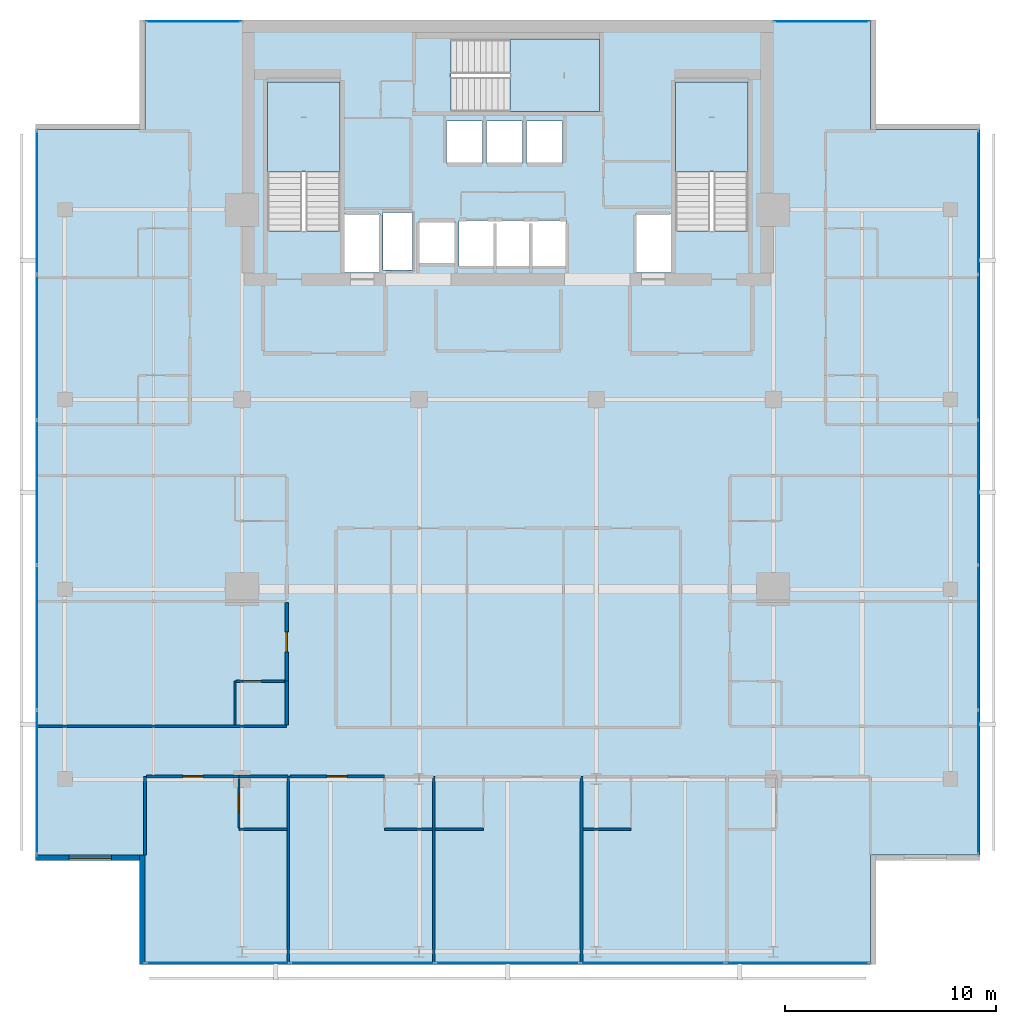
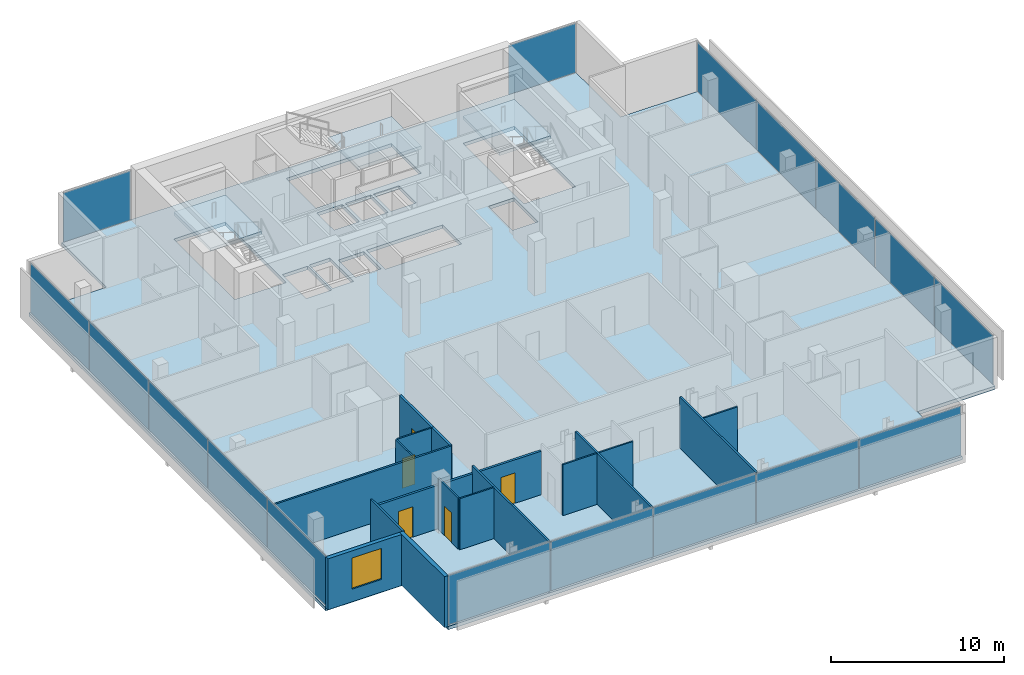
# One storey, part 19 of 25: 19 walls, 17 plates, 5 doors, 4 slabs, 1 window, 6 openings, 8 elements without a shape of their own.
"""IFC4 building model written with IfcOpenShell, lengths in metres."""

import ifcopenshell
import ifcopenshell.guid

model = None  # the IFC model being written
_history = None  # IfcOwnerHistory: only IFC2X3 demands one
_inside = {}  # id of a spatial element -> (the spatial element, [elements in it])
_under = {}  # id of a project, library or spatial element -> (it, [spatial elements below it])
_declared = {}  # id of a project -> (the project, [libraries it declares])
_typed = {}  # id of a type object -> (the type object, [elements of that type])
_made_of = {}  # id of a material, layer set ... -> (it, [elements and type objects made of it])


def new_model(schema):
    """Start an empty IFC model of exactly this schema.

    Asked for "IFC4X3", IfcOpenShell would pick the latest addendum, in which some entities
    have other attributes; the version numbers below select the first issue.
    IFC2X3 requires an IfcOwnerHistory on every rooted entity: one is made here for all.
    """
    global model, _history
    if schema == "IFC4X3":
        model = ifcopenshell.file(schema_version=(4, 3, 0, 0))
    else:
        model = ifcopenshell.file(schema=schema)
    _inside.clear()
    _under.clear()
    _declared.clear()
    _typed.clear()
    _made_of.clear()
    _history = None
    if model.schema == "IFC2X3":
        org = make("IfcOrganization", Name="unknown")
        user = make(
            "IfcPersonAndOrganization",
            ThePerson=make("IfcPerson", FamilyName="unknown"),
            TheOrganization=org,
        )
        app = make(
            "IfcApplication",
            ApplicationDeveloper=org,
            Version="unknown",
            ApplicationFullName="unknown",
            ApplicationIdentifier="unknown",
        )
        _history = make(
            "IfcOwnerHistory",
            OwningUser=user,
            OwningApplication=app,
            ChangeAction="ADDED",
            CreationDate=0,
        )
    return model


def make(cls, **values):
    """One entity of the class cls with the attributes given. An attribute that is None is left unset."""
    return model.create_entity(
        cls, **{name: value for name, value in values.items() if value is not None}
    )


def rooted(cls, **values):
    """An entity with a GlobalId (a new one), such as an element, a storey or a relation."""
    return make(cls, GlobalId=ifcopenshell.guid.new(), OwnerHistory=_history, **values)


def si_unit(unit_type, name, prefix=None):
    """IfcSIUnit, for example si_unit("LENGTHUNIT", "METRE", prefix="MILLI")."""
    return make("IfcSIUnit", UnitType=unit_type, Prefix=prefix, Name=name)


def assignment(units):
    """IfcUnitAssignment: the units of a project."""
    return None if units is None else make("IfcUnitAssignment", Units=units)


def point(xyz):
    """IfcCartesianPoint."""
    return None if xyz is None else make("IfcCartesianPoint", Coordinates=xyz)


def direction(xyz):
    """IfcDirection."""
    return None if xyz is None else make("IfcDirection", DirectionRatios=xyz)


def frame(location, z_axis=None, x_axis=None):
    """IfcAxis2Placement3D, a coordinate frame: its origin and axes. An axis left out is left unset."""
    return make(
        "IfcAxis2Placement3D",
        Location=point(location),
        Axis=direction(z_axis),
        RefDirection=direction(x_axis),
    )


def frame_2d(location, x_axis=None):
    """IfcAxis2Placement2D, a coordinate frame in the plane: its origin and x axis."""
    return make(
        "IfcAxis2Placement2D", Location=point(location), RefDirection=direction(x_axis)
    )


def origin():
    """The frame at (0, 0, 0) with its axes left unset."""
    return frame((0.0, 0.0, 0.0))


def origin_2d():
    """The frame at (0, 0) in the plane with its x axis left unset."""
    return frame_2d((0.0, 0.0))


def place(relative_to, where):
    """IfcLocalPlacement: puts the frame where relative to a parent placement (None: the world)."""
    return make(
        "IfcLocalPlacement", PlacementRelTo=relative_to, RelativePlacement=where
    )


def context(
    kind, dimensions, precision=None, world=None, true_north=None, identifier=None
):
    """IfcGeometricRepresentationContext, for example the 3D "Model" context."""
    return make(
        "IfcGeometricRepresentationContext",
        ContextIdentifier=identifier,
        ContextType=kind,
        CoordinateSpaceDimension=dimensions,
        Precision=precision,
        WorldCoordinateSystem=world,
        TrueNorth=true_north,
    )


def subcontext(parent, identifier, kind, view, scale=None):
    """IfcGeometricRepresentationSubContext, for example "Body" below "Model"."""
    return make(
        "IfcGeometricRepresentationSubContext",
        ContextIdentifier=identifier,
        ContextType=kind,
        ParentContext=parent,
        TargetScale=scale,
        TargetView=view,
    )


def project(units=None, contexts=None):
    """IfcProject with its units and contexts."""
    return rooted(
        "IfcProject",
        Name="project",
        RepresentationContexts=contexts,
        UnitsInContext=assignment(units),
    )


def spatial(cls, under=None, at=None, **own):
    """A site, building, storey or space (cls), placed at a placement, below another one or the project."""
    s = rooted(cls, ObjectPlacement=at, **own)
    if under is not None:
        _under.setdefault(under.id(), (under, []))[1].append(s)
    return s


def polyline(points):
    """IfcPolyline through the points."""
    return make("IfcPolyline", Points=[point(p) for p in points])


def profile(cls, at=None, kind="AREA", **sizes):
    """A parametric profile (cls). Its sizes go by their IFC names, for example OverallWidth=200.0."""
    return make(cls, ProfileType=kind, Position=at, **sizes)


def rectangle(**sizes):
    """IfcRectangleProfileDef."""
    return profile("IfcRectangleProfileDef", **sizes)


def outline(outer, holes=None, kind="AREA"):
    """IfcArbitraryClosedProfileDef: a profile drawn as a closed curve; with holes, ...WithVoids."""
    if holes is None:
        return make("IfcArbitraryClosedProfileDef", ProfileType=kind, OuterCurve=outer)
    return make(
        "IfcArbitraryProfileDefWithVoids",
        ProfileType=kind,
        OuterCurve=outer,
        InnerCurves=holes,
    )


def extrude(swept, where, along, depth):
    """IfcExtrudedAreaSolid: the profile swept, set in the frame where, extruded along a direction by depth."""
    return make(
        "IfcExtrudedAreaSolid",
        SweptArea=swept,
        Position=where,
        ExtrudedDirection=direction(along),
        Depth=depth,
    )


def shape(context_of_items, identifier, shape_type, items):
    """IfcShapeRepresentation: the items that make up one representation, for example the "Body"."""
    return make(
        "IfcShapeRepresentation",
        ContextOfItems=context_of_items,
        RepresentationIdentifier=identifier,
        RepresentationType=shape_type,
        Items=items,
    )


def material(Name=None, Category=None):
    """IfcMaterial."""
    return make("IfcMaterial", Name=Name, Category=Category)


def layer(
    of_material, thickness, ventilated=None, Name=None, Category=None, Priority=None
):
    """IfcMaterialLayer: one layer of a wall or slab, of a material (None: an air gap)."""
    return make(
        "IfcMaterialLayer",
        Material=of_material,
        LayerThickness=thickness,
        IsVentilated=ventilated,
        Name=Name,
        Category=Category,
        Priority=Priority,
    )


def layer_set(layers, Name=None):
    """IfcMaterialLayerSet."""
    return make("IfcMaterialLayerSet", MaterialLayers=layers, LayerSetName=Name)


def made_of(thing, what):
    """Note that an element or type object is made of a material, layer set ...; save() writes the relation."""
    if what is not None:
        _made_of.setdefault(what.id(), (what, []))[1].append(thing)
    return thing


def type_object(cls, material=None, **own):
    """A type object (cls), such as IfcWallType, which elements share."""
    return made_of(rooted(cls, **own), material)


def element(
    cls,
    number,
    at=None,
    inside=None,
    cuts=None,
    type_object=None,
    material=None,
    context=None,
    identifier="Body",
    shape_type=None,
    held_by="IfcProductDefinitionShape",
    body=None,
    shapes=None,
    **own,
):
    """One element of the class cls, such as IfcWall. Its Tag is "e" and its number.

    at: its placement. inside: the storey or other place that contains it. cuts: it is an
    opening in that element (IfcRelVoidsElement). A single representation is given by context,
    identifier, shape_type and body (its items); several are given by shapes. held_by: the class
    of the entity that holds the representations. save() writes the other relations.
    """
    e = rooted(cls, Tag="e%d" % number, ObjectPlacement=at, **own)
    if body is not None:
        shapes = [shape(context, identifier, shape_type, body)]
    if shapes is not None:
        e.Representation = make(held_by, Representations=shapes)
    if inside is not None:
        _inside.setdefault(inside.id(), (inside, []))[1].append(e)
    if cuts is not None:
        rooted(
            "IfcRelVoidsElement", RelatingBuildingElement=cuts, RelatedOpeningElement=e
        )
    if type_object is not None:
        _typed.setdefault(type_object.id(), (type_object, []))[1].append(e)
    return made_of(e, material)


def fill(opening, filler):
    """IfcRelFillsElement: the door or window that sits in an opening."""
    return rooted(
        "IfcRelFillsElement",
        RelatingOpeningElement=opening,
        RelatedBuildingElement=filler,
    )


def aggregate(whole, parts):
    """IfcRelAggregates: a whole, such as a stair, and the parts it consists of."""
    return rooted("IfcRelAggregates", RelatingObject=whole, RelatedObjects=parts)


def save(model, path):
    """Write the relations noted so far, then the file.

    IfcRelAggregates (storeys below a building ...), IfcRelContainedInSpatialStructure (elements
    in a storey), IfcRelDefinesByType, IfcRelAssociatesMaterial and IfcRelDeclares: one each for
    every whole, place, type object, material and project.
    """
    for whole, parts in _under.values():
        aggregate(whole, parts)
    for where, things in _inside.values():
        rooted(
            "IfcRelContainedInSpatialStructure",
            RelatedElements=things,
            RelatingStructure=where,
        )
    for kind, things in _typed.values():
        rooted("IfcRelDefinesByType", RelatedObjects=things, RelatingType=kind)
    for what, things in _made_of.values():
        rooted("IfcRelAssociatesMaterial", RelatedObjects=things, RelatingMaterial=what)
    for by, libraries in _declared.values():
        rooted("IfcRelDeclares", RelatingContext=by, RelatedDefinitions=libraries)
    model.write(path)


model = new_model("IFC4")

# Units and contexts
model_context = context("Model", 3, precision=1e-05, world=origin(), true_north=direction((0.0, 1.0)))
body_context = subcontext(model_context, "Body", "Model", "MODEL_VIEW")
ifc_project = project(units=[si_unit("LENGTHUNIT", "METRE"), si_unit("AREAUNIT", "SQUARE_METRE"), si_unit("VOLUMEUNIT", "CUBIC_METRE"), si_unit("PLANEANGLEUNIT", "RADIAN"), si_unit("MASSUNIT", "GRAM", prefix="KILO")], contexts=[model_context])

# Site, building, storey
site_placement = place(None, origin())
site = spatial("IfcSite", under=ifc_project, at=site_placement, CompositionType="ELEMENT")
building_placement = place(site_placement, origin())
building = spatial("IfcBuilding", under=site, at=building_placement, Name="Maruvema Waterfront Hotel and Observation Tower", CompositionType="ELEMENT")
storey_placement = place(building_placement, frame((0.0, 0.0, 270.199951171875)))
storey = spatial("IfcBuildingStorey", under=building, at=storey_placement, Name="L66", CompositionType="ELEMENT", Elevation=270.199951171875)

# Slab
ifc_material_1 = material(Name="Concrete C50/60", Category="concrete")
ifc_layer_1 = layer(ifc_material_1, 0.239990234375, Name="Reinforced Concrete Floor Slab 240 mm")
ifc_layer_set_1 = layer_set([ifc_layer_1], Name="Concrete C50/60")
slab_type_1 = type_object("IfcSlabType", Name="Reinforced Concrete Floor Slab 240 mm", PredefinedType="FLOOR", material=ifc_layer_set_1)
slab_1_placement = place(storey_placement, frame((0.0, 0.0, -0.239990234375)))
element("IfcSlab", 1, at=slab_1_placement, inside=storey, type_object=slab_type_1, Name="L66 Structural Floor Slab", PredefinedType="FLOOR", context=body_context, shape_type="SweptSolid", body=[
    extrude(outline(polyline([(20.60009765625, 9.199951171875), (55.0, 9.199951171875), (55.0, 14.39990234375), (60.199951171875, 14.39990234375), (60.199951171875, 48.800048828125), (55.0, 48.800048828125), (55.0, 54.0), (20.60009765625, 54.0), (20.60009765625, 48.800048828125), (15.39990234375, 48.800048828125), (15.39990234375, 14.39990234375), (20.60009765625, 14.39990234375), (20.60009765625, 9.199951171875)]), holes=[polyline([(26.39990234375, 44.00048828125), (26.39990234375, 51.050048828125), (29.85009765625, 51.050048828125), (29.85009765625, 44.00048828125), (26.39990234375, 44.00048828125)]), polyline([(30.050048828125, 44.800048828125), (31.75, 44.800048828125), (31.75, 42.02001953125), (30.050048828125, 42.02001953125), (30.050048828125, 44.800048828125)]), polyline([(31.8798828125, 42.139892578125), (31.8798828125, 44.860107421875), (33.280029296875, 44.860107421875), (33.280029296875, 42.139892578125), (31.8798828125, 42.139892578125)]), polyline([(33.60009765625, 44.449951171875), (35.300048828125, 44.449951171875), (35.300048828125, 42.449951171875), (33.60009765625, 42.449951171875), (33.60009765625, 44.449951171875)]), polyline([(34.89990234375, 49.199951171875), (36.60009765625, 49.199951171875), (36.60009765625, 47.199951171875), (34.89990234375, 47.199951171875), (34.89990234375, 49.199951171875)]), polyline([(36.800048828125, 47.199951171875), (36.800048828125, 49.199951171875), (38.5, 49.199951171875), (38.5, 47.199951171875), (36.800048828125, 47.199951171875)]), polyline([(35.5, 42.300048828125), (35.5, 44.5), (40.60009765625, 44.5), (40.60009765625, 42.300048828125), (35.5, 42.300048828125)]), polyline([(35.1005859375, 53.10009765625), (42.14990234375, 53.10009765625), (42.14990234375, 49.64990234375), (35.1005859375, 49.64990234375), (35.1005859375, 53.10009765625)]), polyline([(38.699951171875, 49.199951171875), (40.39990234375, 49.199951171875), (40.39990234375, 47.199951171875), (38.699951171875, 47.199951171875), (38.699951171875, 49.199951171875)]), polyline([(43.85009765625, 44.800048828125), (45.550048828125, 44.800048828125), (45.550048828125, 42.02001953125), (43.85009765625, 42.02001953125), (43.85009765625, 44.800048828125)]), polyline([(45.75, 44.00048828125), (45.75, 51.050048828125), (49.199951171875, 51.050048828125), (49.199951171875, 44.00048828125), (45.75, 44.00048828125)])]), origin(), (0.0, 0.0, 1.0), 0.239990234375),
])

# Curtain wall, plates
ifc_material_2 = material(Name="Anodised bronze aluminium and solar-control low-E IGU", Category="aluminium")
ifc_layer_2 = layer(ifc_material_2, 0.159912109375, Name="Zone 3 Champagne Inner Thermal Curtain Wall System CW-04")
ifc_layer_set_2 = layer_set([ifc_layer_2], Name="Anodised bronze aluminium and solar-control low-E IGU")
curtain_wall_type = type_object("IfcCurtainWallType", Name="Zone 3 Champagne Inner Thermal Curtain Wall System CW-04", PredefinedType="USERDEFINED", material=ifc_layer_set_2)
curtain_wall_1_placement = place(storey_placement, origin())
curtain_wall_1 = element("IfcCurtainWall", 2, at=curtain_wall_1_placement, inside=storey, type_object=curtain_wall_type, Name="L66 Curtain Wall CW-L66-S", ObjectType="UNITISED CURTAIN WALL", PredefinedType="USERDEFINED")
ifc_material_3 = material(Name="Laminated low-E solar-control double glazing", Category="glass")
ifc_layer_3 = layer(ifc_material_3, 0.035888671875, Name="Solar Control Double-Glazed Curtain Panel 36 mm")
ifc_layer_set_3 = layer_set([ifc_layer_3], Name="Laminated low-E solar-control double glazing")
plate_type = type_object("IfcPlateType", Name="Solar Control Double-Glazed Curtain Panel 36 mm", PredefinedType="CURTAIN_PANEL", material=ifc_layer_set_3)
plate_1_placement = place(storey_placement, frame((24.054931640625, 9.280029296875, 0.06005859375), z_axis=(0.0, 0.0, 1.0), x_axis=(1.0, 0.0, 0.0)))
plate_1 = element("IfcPlate", 3, at=plate_1_placement, type_object=plate_type, Name="CW-04 panel 1.1", PredefinedType="CURTAIN_PANEL", context=body_context, shape_type="SweptSolid", body=[
    extrude(rectangle(XDim=6.7900390625, YDim=0.028076171875, at=origin_2d()), origin(), (0.0, 0.0, 1.0), 3.489990234375),
])
plate_2_placement = place(storey_placement, frame((30.919921875, 9.280029296875, 0.06005859375), z_axis=(0.0, 0.0, 1.0), x_axis=(1.0, 0.0, 0.0)))
plate_2 = element("IfcPlate", 4, at=plate_2_placement, type_object=plate_type, Name="CW-04 panel 2.1", PredefinedType="CURTAIN_PANEL", context=body_context, shape_type="SweptSolid", body=[
    extrude(rectangle(XDim=6.820068359375, YDim=0.028076171875, at=origin_2d()), origin(), (0.0, 0.0, 1.0), 3.489990234375),
])
plate_3_placement = place(storey_placement, frame((37.800048828125, 9.280029296875, 0.06005859375), z_axis=(0.0, 0.0, 1.0), x_axis=(1.0, 0.0, 0.0)))
plate_3 = element("IfcPlate", 5, at=plate_3_placement, type_object=plate_type, Name="CW-04 panel 3.1", PredefinedType="CURTAIN_PANEL", context=body_context, shape_type="SweptSolid", body=[
    extrude(rectangle(XDim=6.820068359375, YDim=0.028076171875, at=origin_2d()), origin(), (0.0, 0.0, 1.0), 3.489990234375),
])
plate_4_placement = place(storey_placement, frame((44.679931640625, 9.280029296875, 0.06005859375), z_axis=(0.0, 0.0, 1.0), x_axis=(1.0, 0.0, 0.0)))
plate_4 = element("IfcPlate", 6, at=plate_4_placement, type_object=plate_type, Name="CW-04 panel 4.1", PredefinedType="CURTAIN_PANEL", context=body_context, shape_type="SweptSolid", body=[
    extrude(rectangle(XDim=6.820068359375, YDim=0.028076171875, at=origin_2d()), origin(), (0.0, 0.0, 1.0), 3.489990234375),
])
plate_5_placement = place(storey_placement, frame((51.544921875, 9.280029296875, 0.06005859375), z_axis=(0.0, 0.0, 1.0), x_axis=(1.0, 0.0, 0.0)))
plate_5 = element("IfcPlate", 7, at=plate_5_placement, type_object=plate_type, Name="CW-04 panel 5.1", PredefinedType="CURTAIN_PANEL", context=body_context, shape_type="SweptSolid", body=[
    extrude(rectangle(XDim=6.7900390625, YDim=0.028076171875, at=origin_2d()), origin(), (0.0, 0.0, 1.0), 3.489990234375),
])
aggregate(curtain_wall_1, [plate_1, plate_2, plate_3, plate_4, plate_5])

curtain_wall_2_placement = place(storey_placement, origin())
curtain_wall_2 = element("IfcCurtainWall", 8, at=curtain_wall_2_placement, inside=storey, type_object=curtain_wall_type, Name="L66 Curtain Wall CW-L66-E", ObjectType="UNITISED CURTAIN WALL", PredefinedType="USERDEFINED")
plate_6_placement = place(storey_placement, frame((60.1201171875, 17.85498046875, 0.06005859375), z_axis=(0.0, 0.0, 1.0), x_axis=(0.0, 1.0, 0.0)))
plate_6 = element("IfcPlate", 9, at=plate_6_placement, type_object=plate_type, Name="CW-04 panel 1.1", PredefinedType="CURTAIN_PANEL", context=body_context, shape_type="SweptSolid", body=[
    extrude(rectangle(XDim=6.7900390625, YDim=0.028076171875, at=origin_2d()), origin(), (0.0, 0.0, 1.0), 3.489990234375),
])
plate_7_placement = place(storey_placement, frame((60.1201171875, 24.719970703125, 0.06005859375), z_axis=(0.0, 0.0, 1.0), x_axis=(0.0, 1.0, 0.0)))
plate_7 = element("IfcPlate", 10, at=plate_7_placement, type_object=plate_type, Name="CW-04 panel 2.1", PredefinedType="CURTAIN_PANEL", context=body_context, shape_type="SweptSolid", body=[
    extrude(rectangle(XDim=6.820068359375, YDim=0.028076171875, at=origin_2d()), origin(), (0.0, 0.0, 1.0), 3.489990234375),
])
plate_8_placement = place(storey_placement, frame((60.1201171875, 31.60009765625, 0.06005859375), z_axis=(0.0, 0.0, 1.0), x_axis=(0.0, 1.0, 0.0)))
plate_8 = element("IfcPlate", 11, at=plate_8_placement, type_object=plate_type, Name="CW-04 panel 3.1", PredefinedType="CURTAIN_PANEL", context=body_context, shape_type="SweptSolid", body=[
    extrude(rectangle(XDim=6.820068359375, YDim=0.028076171875, at=origin_2d()), origin(), (0.0, 0.0, 1.0), 3.489990234375),
])
plate_9_placement = place(storey_placement, frame((60.1201171875, 38.47998046875, 0.06005859375), z_axis=(0.0, 0.0, 1.0), x_axis=(0.0, 1.0, 0.0)))
plate_9 = element("IfcPlate", 12, at=plate_9_placement, type_object=plate_type, Name="CW-04 panel 4.1", PredefinedType="CURTAIN_PANEL", context=body_context, shape_type="SweptSolid", body=[
    extrude(rectangle(XDim=6.820068359375, YDim=0.028076171875, at=origin_2d()), origin(), (0.0, 0.0, 1.0), 3.489990234375),
])
plate_10_placement = place(storey_placement, frame((60.1201171875, 45.344970703125, 0.06005859375), z_axis=(0.0, 0.0, 1.0), x_axis=(0.0, 1.0, 0.0)))
plate_10 = element("IfcPlate", 13, at=plate_10_placement, type_object=plate_type, Name="CW-04 panel 5.1", PredefinedType="CURTAIN_PANEL", context=body_context, shape_type="SweptSolid", body=[
    extrude(rectangle(XDim=6.7900390625, YDim=0.028076171875, at=origin_2d()), origin(), (0.0, 0.0, 1.0), 3.489990234375),
])
aggregate(curtain_wall_2, [plate_6, plate_7, plate_8, plate_9, plate_10])

curtain_wall_3_placement = place(storey_placement, origin())
curtain_wall_3 = element("IfcCurtainWall", 14, at=curtain_wall_3_placement, inside=storey, type_object=curtain_wall_type, Name="L66 Curtain Wall CW-L66-W", ObjectType="UNITISED CURTAIN WALL", PredefinedType="USERDEFINED")
plate_11_placement = place(storey_placement, frame((15.47998046875, 45.344970703125, 0.06005859375), z_axis=(0.0, 0.0, 1.0), x_axis=(0.0, -1.0, 0.0)))
plate_11 = element("IfcPlate", 15, at=plate_11_placement, type_object=plate_type, Name="CW-04 panel 1.1", PredefinedType="CURTAIN_PANEL", context=body_context, shape_type="SweptSolid", body=[
    extrude(rectangle(XDim=6.7900390625, YDim=0.028076171875, at=origin_2d()), origin(), (0.0, 0.0, 1.0), 3.489990234375),
])
plate_12_placement = place(storey_placement, frame((15.47998046875, 38.47998046875, 0.06005859375), z_axis=(0.0, 0.0, 1.0), x_axis=(0.0, -1.0, 0.0)))
plate_12 = element("IfcPlate", 16, at=plate_12_placement, type_object=plate_type, Name="CW-04 panel 2.1", PredefinedType="CURTAIN_PANEL", context=body_context, shape_type="SweptSolid", body=[
    extrude(rectangle(XDim=6.820068359375, YDim=0.028076171875, at=origin_2d()), origin(), (0.0, 0.0, 1.0), 3.489990234375),
])
plate_13_placement = place(storey_placement, frame((15.47998046875, 31.60009765625, 0.06005859375), z_axis=(0.0, 0.0, 1.0), x_axis=(0.0, -1.0, 0.0)))
plate_13 = element("IfcPlate", 17, at=plate_13_placement, type_object=plate_type, Name="CW-04 panel 3.1", PredefinedType="CURTAIN_PANEL", context=body_context, shape_type="SweptSolid", body=[
    extrude(rectangle(XDim=6.820068359375, YDim=0.028076171875, at=origin_2d()), origin(), (0.0, 0.0, 1.0), 3.489990234375),
])
plate_14_placement = place(storey_placement, frame((15.47998046875, 24.719970703125, 0.06005859375), z_axis=(0.0, 0.0, 1.0), x_axis=(0.0, -1.0, 0.0)))
plate_14 = element("IfcPlate", 18, at=plate_14_placement, type_object=plate_type, Name="CW-04 panel 4.1", PredefinedType="CURTAIN_PANEL", context=body_context, shape_type="SweptSolid", body=[
    extrude(rectangle(XDim=6.820068359375, YDim=0.028076171875, at=origin_2d()), origin(), (0.0, 0.0, 1.0), 3.489990234375),
])
plate_15_placement = place(storey_placement, frame((15.47998046875, 17.85498046875, 0.06005859375), z_axis=(0.0, 0.0, 1.0), x_axis=(0.0, -1.0, 0.0)))
plate_15 = element("IfcPlate", 19, at=plate_15_placement, type_object=plate_type, Name="CW-04 panel 5.1", PredefinedType="CURTAIN_PANEL", context=body_context, shape_type="SweptSolid", body=[
    extrude(rectangle(XDim=6.7900390625, YDim=0.028076171875, at=origin_2d()), origin(), (0.0, 0.0, 1.0), 3.489990234375),
])
aggregate(curtain_wall_3, [plate_11, plate_12, plate_13, plate_14, plate_15])

# Curtain wall, plate
curtain_wall_4_placement = place(storey_placement, origin())
curtain_wall_4 = element("IfcCurtainWall", 20, at=curtain_wall_4_placement, inside=storey, type_object=curtain_wall_type, Name="L66 Curtain Wall CW-L66-NW", ObjectType="UNITISED CURTAIN WALL", PredefinedType="USERDEFINED")
plate_16_placement = place(storey_placement, frame((22.89990234375, 53.919921875, 0.06005859375), z_axis=(0.0, 0.0, 1.0), x_axis=(-1.0, 0.0, 0.0)))
plate_16 = element("IfcPlate", 21, at=plate_16_placement, type_object=plate_type, Name="CW-04 panel 1.1", PredefinedType="CURTAIN_PANEL", context=body_context, shape_type="SweptSolid", body=[
    extrude(rectangle(XDim=4.47998046875, YDim=0.028076171875, at=origin_2d()), origin(), (0.0, 0.0, 1.0), 3.489990234375),
])
aggregate(curtain_wall_4, [plate_16])

curtain_wall_5_placement = place(storey_placement, origin())
curtain_wall_5 = element("IfcCurtainWall", 22, at=curtain_wall_5_placement, inside=storey, type_object=curtain_wall_type, Name="L66 Curtain Wall CW-L66-NE", ObjectType="UNITISED CURTAIN WALL", PredefinedType="USERDEFINED")
plate_17_placement = place(storey_placement, frame((52.699951171875, 53.919921875, 0.06005859375), z_axis=(0.0, 0.0, 1.0), x_axis=(-1.0, 0.0, 0.0)))
plate_17 = element("IfcPlate", 23, at=plate_17_placement, type_object=plate_type, Name="CW-04 panel 1.1", PredefinedType="CURTAIN_PANEL", context=body_context, shape_type="SweptSolid", body=[
    extrude(rectangle(XDim=4.47998046875, YDim=0.028076171875, at=origin_2d()), origin(), (0.0, 0.0, 1.0), 3.489990234375),
])
aggregate(curtain_wall_5, [plate_17])

# Stair, slab
ifc_material_4 = material(Name="Concrete C50/60", Category="concrete")
stair_type = type_object("IfcStairType", Name="Dogleg Exit Stair 1650 mm (22R x 175.0 mm)", PredefinedType="HALF_TURN_STAIR", material=ifc_material_4)
stair_1_placement = place(storey_placement, origin())
stair_1 = element("IfcStair", 24, at=stair_1_placement, inside=storey, type_object=stair_type, Name="L66 ST-01", PredefinedType="HALF_TURN_STAIR")
ifc_material_5 = material(Name="Concrete C50/60", Category="concrete")
ifc_layer_4 = layer(ifc_material_5, 0.219970703125, Name="Stair Concrete Landing Slab 220 mm")
ifc_layer_set_4 = layer_set([ifc_layer_4], Name="Concrete C50/60")
slab_type_2 = type_object("IfcSlabType", Name="Stair Concrete Landing Slab 220 mm", PredefinedType="LANDING", material=ifc_layer_set_4)
slab_2_placement = place(storey_placement, frame((0.0, 0.0, 1.705078125)))
slab_2 = element("IfcSlab", 25, at=slab_2_placement, type_object=slab_type_2, Name="ST-01 landing 1", PredefinedType="LANDING", context=body_context, shape_type="SweptSolid", body=[
    extrude(outline(polyline([(29.85009765625, 46.800048828125), (29.85009765625, 51.050048828125), (26.39990234375, 51.050048828125), (26.39990234375, 46.800048828125), (29.85009765625, 46.800048828125)])), origin(), (0.0, 0.0, 1.0), 0.219970703125),
])
aggregate(stair_1, [slab_2])

stair_2_placement = place(storey_placement, origin())
stair_2 = element("IfcStair", 26, at=stair_2_placement, inside=storey, type_object=stair_type, Name="L66 ST-02", PredefinedType="HALF_TURN_STAIR")
slab_3_placement = place(storey_placement, frame((0.0, 0.0, 1.705078125)))
slab_3 = element("IfcSlab", 27, at=slab_3_placement, type_object=slab_type_2, Name="ST-02 landing 1", PredefinedType="LANDING", context=body_context, shape_type="SweptSolid", body=[
    extrude(outline(polyline([(37.89990234375, 49.64990234375), (42.14990234375, 49.64990234375), (42.14990234375, 53.10009765625), (37.89990234375, 53.10009765625), (37.89990234375, 49.64990234375)])), origin(), (0.0, 0.0, 1.0), 0.219970703125),
])
aggregate(stair_2, [slab_3])

stair_3_placement = place(storey_placement, origin())
stair_3 = element("IfcStair", 28, at=stair_3_placement, inside=storey, type_object=stair_type, Name="L66 ST-03", PredefinedType="HALF_TURN_STAIR")
slab_4_placement = place(storey_placement, frame((0.0, 0.0, 1.705078125)))
slab_4 = element("IfcSlab", 29, at=slab_4_placement, type_object=slab_type_2, Name="ST-03 landing 1", PredefinedType="LANDING", context=body_context, shape_type="SweptSolid", body=[
    extrude(outline(polyline([(49.199951171875, 46.800048828125), (49.199951171875, 51.050048828125), (45.75, 51.050048828125), (45.75, 46.800048828125), (49.199951171875, 46.800048828125)])), origin(), (0.0, 0.0, 1.0), 0.219970703125),
])
aggregate(stair_3, [slab_4])

# Wall
ifc_material_6 = material(Name="Twin-stud acoustic gypsum drywall", Category="gypsum")
ifc_layer_5 = layer(ifc_material_6, 0.14990234375, Name="Acoustic Corridor and Suite Demising Wall 150 mm")
ifc_layer_set_5 = layer_set([ifc_layer_5], Name="Twin-stud acoustic gypsum drywall")
wall_type_1 = type_object("IfcWallType", Name="Acoustic Corridor and Suite Demising Wall 150 mm", PredefinedType="PARTITIONING", material=ifc_layer_set_5)
wall_1_placement = place(storey_placement, frame((25.050048828125, 18.1201171875, 0.0), z_axis=(0.0, 0.0, 1.0), x_axis=(1.0, 0.0, 0.0)))
element("IfcWall", 30, at=wall_1_placement, inside=storey, type_object=wall_type_1, Name="L66 Bath L66-S1 Back Wall 037", PredefinedType="PARTITIONING", context=body_context, shape_type="SweptSolid", body=[
    extrude(rectangle(XDim=2.329833984375, YDim=0.14990234375, at=frame_2d((1.1650390625, 0.0))), origin(), (0.0, 0.0, 1.0), 3.0771484375),
])

# Wall, opening, door
wall_2_placement = place(storey_placement, frame((20.679931640625, 18.1201171875, 0.0), z_axis=(0.0, 0.0, 1.0), x_axis=(1.0, 0.0, 0.0)))
wall_2 = element("IfcWall", 31, at=wall_2_placement, inside=storey, type_object=wall_type_1, Name="L66 Unit L66-S1 Corridor Wall 040", PredefinedType="PARTITIONING", context=body_context, shape_type="SweptSolid", body=[
    extrude(rectangle(XDim=4.3701171875, YDim=0.14990234375, at=frame_2d((2.18505859375, 0.0))), origin(), (0.0, 0.0, 1.0), 3.0771484375),
])
opening_1_placement = place(wall_2_placement, frame((1.7099609375, 0.0, 0.0)))
opening_1 = element("IfcOpeningElement", 32, at=opening_1_placement, cuts=wall_2, Name="Opening DR-095", PredefinedType="OPENING", context=body_context, shape_type="SweptSolid", body=[
    extrude(rectangle(XDim=0.949951171875, YDim=2.14990234375, at=frame_2d((0.47509765625, 1.074951171875))), frame((0.0, 0.0849609375, 0.0), z_axis=(0.0, -1.0, 0.0), x_axis=(1.0, 0.0, 0.0)), (0.0, 0.0, 1.0), 0.169921875),
])
ifc_material_7 = material(Name="Acoustic solid-core hardwood timber leaf", Category="wood")
door_type_1 = type_object("IfcDoorType", Name="Guestroom Entrance Fire Door 950x2150 mm", OperationType="NOTDEFINED", PredefinedType="DOOR", material=ifc_material_7)
door_1_placement = place(opening_1_placement, frame((0.949951171875, 0.0, 0.0), z_axis=(0.0, 0.0, 1.0), x_axis=(-1.0, 0.0, 0.0)))
door_1 = element("IfcDoor", 33, at=door_1_placement, inside=storey, type_object=door_type_1, Name="L66 Unit L66-S1 Entrance Door", OperationType="SINGLE_SWING_LEFT", OverallHeight=2.14990234375, OverallWidth=0.949951171875, PredefinedType="DOOR", context=body_context, shape_type="SweptSolid", body=[
    extrude(rectangle(XDim=0.949951171875, YDim=2.14990234375, at=frame_2d((0.47509765625, 1.074951171875))), frame((0.0, 0.02490234375, 0.0), z_axis=(0.0, -1.0, 0.0), x_axis=(1.0, 0.0, 0.0)), (0.0, 0.0, 1.0), 0.050048828125),
])
fill(opening_1, door_1)

wall_3_placement = place(storey_placement, frame((27.47998046875, 18.1201171875, 0.0), z_axis=(0.0, 0.0, 1.0), x_axis=(1.0, 0.0, 0.0)))
wall_3 = element("IfcWall", 34, at=wall_3_placement, inside=storey, type_object=wall_type_1, Name="L66 Unit L66-S2 Corridor Wall 045", PredefinedType="PARTITIONING", context=body_context, shape_type="SweptSolid", body=[
    extrude(rectangle(XDim=4.469970703125, YDim=0.14990234375, at=frame_2d((2.23486328125, 0.0))), origin(), (0.0, 0.0, 1.0), 3.0771484375),
])
opening_2_placement = place(wall_3_placement, frame((1.760009765625, 0.0, 0.0)))
opening_2 = element("IfcOpeningElement", 35, at=opening_2_placement, cuts=wall_3, Name="Opening DR-095", PredefinedType="OPENING", context=body_context, shape_type="SweptSolid", body=[
    extrude(rectangle(XDim=0.949951171875, YDim=2.14990234375, at=frame_2d((0.47509765625, 1.074951171875))), frame((0.0, 0.0849609375, 0.0), z_axis=(0.0, -1.0, 0.0), x_axis=(1.0, 0.0, 0.0)), (0.0, 0.0, 1.0), 0.169921875),
])
door_2_placement = place(opening_2_placement, frame((0.949951171875, 0.0, 0.0), z_axis=(0.0, 0.0, 1.0), x_axis=(-1.0, 0.0, 0.0)))
door_2 = element("IfcDoor", 36, at=door_2_placement, inside=storey, type_object=door_type_1, Name="L66 Unit L66-S2 Entrance Door", OperationType="SINGLE_SWING_LEFT", OverallHeight=2.14990234375, OverallWidth=0.949951171875, PredefinedType="DOOR", context=body_context, shape_type="SweptSolid", body=[
    extrude(rectangle(XDim=0.949951171875, YDim=2.14990234375, at=frame_2d((0.47509765625, 1.074951171875))), frame((0.0, 0.02490234375, 0.0), z_axis=(0.0, -1.0, 0.0), x_axis=(1.0, 0.0, 0.0)), (0.0, 0.0, 1.0), 0.050048828125),
])
fill(opening_2, door_2)

# Wall
wall_4_placement = place(storey_placement, frame((27.320068359375, 20.56005859375, 0.0), z_axis=(0.0, 0.0, 1.0), x_axis=(0.0, 1.0, 0.0)))
element("IfcWall", 37, at=wall_4_placement, inside=storey, type_object=wall_type_1, Name="L66 Bath L66-W1 Wall 065", PredefinedType="PARTITIONING", context=body_context, shape_type="SweptSolid", body=[
    extrude(rectangle(XDim=2.079833984375, YDim=0.14990234375, at=frame_2d((1.0400390625, 0.0))), origin(), (0.0, 0.0, 1.0), 3.610107421875),
])

# Wall, opening, door
wall_5_placement = place(storey_placement, frame((27.320068359375, 22.639892578125, 0.0), z_axis=(0.0, 0.0, 1.0), x_axis=(0.0, 1.0, 0.0)))
wall_5 = element("IfcWall", 38, at=wall_5_placement, inside=storey, type_object=wall_type_1, Name="L66 Room L66-W1 Corridor Wall 066", PredefinedType="PARTITIONING", context=body_context, shape_type="SweptSolid", body=[
    extrude(rectangle(XDim=3.739990234375, YDim=0.14990234375, at=frame_2d((1.8701171875, 0.0))), origin(), (0.0, 0.0, 1.0), 3.610107421875),
])
opening_3_placement = place(wall_5_placement, frame((1.39501953125, 0.0, 0.0)))
opening_3 = element("IfcOpeningElement", 39, at=opening_3_placement, cuts=wall_5, Name="Opening DR-095", PredefinedType="OPENING", context=body_context, shape_type="SweptSolid", body=[
    extrude(rectangle(XDim=0.949951171875, YDim=2.14990234375, at=frame_2d((0.47509765625, 1.074951171875))), frame((0.0, 0.0849609375, 0.0), z_axis=(0.0, -1.0, 0.0), x_axis=(1.0, 0.0, 0.0)), (0.0, 0.0, 1.0), 0.169921875),
])
door_3_placement = place(opening_3_placement, origin())
door_3 = element("IfcDoor", 40, at=door_3_placement, inside=storey, type_object=door_type_1, Name="L66 Room L66-W1 Entrance Door", OperationType="SINGLE_SWING_LEFT", OverallHeight=2.14990234375, OverallWidth=0.949951171875, PredefinedType="DOOR", context=body_context, shape_type="SweptSolid", body=[
    extrude(rectangle(XDim=0.949951171875, YDim=2.14990234375, at=frame_2d((0.47509765625, 1.074951171875))), frame((0.0, 0.02490234375, 0.0), z_axis=(0.0, -1.0, 0.0), x_axis=(1.0, 0.0, 0.0)), (0.0, 0.0, 1.0), 0.050048828125),
])
fill(opening_3, door_3)

# Wall
ifc_material_8 = material(Name="Moisture-resistant cement-board drywall", Category="gypsum")
ifc_layer_6 = layer(ifc_material_8, 0.10009765625, Name="En-Suite Moisture-Resistant Partition 100 mm")
ifc_layer_set_6 = layer_set([ifc_layer_6], Name="Moisture-resistant cement-board drywall")
wall_type_2 = type_object("IfcWallType", Name="En-Suite Moisture-Resistant Partition 100 mm", PredefinedType="PARTITIONING", material=ifc_layer_set_6)
wall_6_placement = place(storey_placement, frame((25.050048828125, 15.6201171875, 0.0), z_axis=(0.0, 0.0, 1.0), x_axis=(1.0, 0.0, 0.0)))
element("IfcWall", 41, at=wall_6_placement, inside=storey, type_object=wall_type_2, Name="L66 En-Suite L66-S1 South 038", PredefinedType="PARTITIONING", context=body_context, shape_type="SweptSolid", body=[
    extrude(rectangle(XDim=2.31005859375, YDim=0.10009765625, at=frame_2d((1.155029296875, 0.0))), origin(), (0.0, 0.0, 1.0), 3.610107421875),
])

# Wall, opening, door
wall_7_placement = place(storey_placement, frame((25.050048828125, 15.679931640625, 0.0), z_axis=(0.0, 0.0, 1.0), x_axis=(0.0, 1.0, 0.0)))
wall_7 = element("IfcWall", 42, at=wall_7_placement, inside=storey, type_object=wall_type_2, Name="L66 En-Suite L66-S1 West 039", PredefinedType="PARTITIONING", context=body_context, shape_type="SweptSolid", body=[
    extrude(rectangle(XDim=2.340087890625, YDim=0.10009765625, at=frame_2d((1.169921875, 0.0))), origin(), (0.0, 0.0, 1.0), 3.610107421875),
])
opening_4_placement = place(wall_7_placement, frame((0.7451171875, 0.0, 0.0)))
opening_4 = element("IfcOpeningElement", 43, at=opening_4_placement, cuts=wall_7, Name="Opening DR-085", PredefinedType="OPENING", context=body_context, shape_type="SweptSolid", body=[
    extrude(rectangle(XDim=0.85009765625, YDim=2.10009765625, at=frame_2d((0.425048828125, 1.050048828125))), frame((0.0, 0.06005859375, 0.0), z_axis=(0.0, -1.0, 0.0), x_axis=(1.0, 0.0, 0.0)), (0.0, 0.0, 1.0), 0.1201171875),
])
ifc_material_9 = material(Name="Moisture-resistant solid timber leaf", Category="wood")
door_type_2 = type_object("IfcDoorType", Name="En-Suite Bathroom Door 850x2100 mm", OperationType="NOTDEFINED", PredefinedType="DOOR", material=ifc_material_9)
door_4_placement = place(opening_4_placement, origin())
door_4 = element("IfcDoor", 44, at=door_4_placement, inside=storey, type_object=door_type_2, Name="L66 En-Suite L66-S1 Door", OperationType="SINGLE_SWING_RIGHT", OverallHeight=2.10009765625, OverallWidth=0.85009765625, PredefinedType="DOOR", context=body_context, shape_type="SweptSolid", body=[
    extrude(rectangle(XDim=0.85009765625, YDim=2.10009765625, at=frame_2d((0.425048828125, 1.050048828125))), frame((0.0, 0.02490234375, 0.0), z_axis=(0.0, -1.0, 0.0), x_axis=(1.0, 0.0, 0.0)), (0.0, 0.0, 1.0), 0.050048828125),
])
fill(opening_4, door_4)

# Walls
wall_8_placement = place(storey_placement, frame((31.949951171875, 15.6201171875, 0.0), z_axis=(0.0, 0.0, 1.0), x_axis=(1.0, 0.0, 0.0)))
element("IfcWall", 45, at=wall_8_placement, inside=storey, type_object=wall_type_2, Name="L66 En-Suite L66-S2 South 043", PredefinedType="PARTITIONING", context=body_context, shape_type="SweptSolid", body=[
    extrude(rectangle(XDim=2.31005859375, YDim=0.10009765625, at=frame_2d((1.155029296875, 0.0))), origin(), (0.0, 0.0, 1.0), 3.610107421875),
])
for number, where, z_axis, x_axis, name in (
    (46, (34.3798828125, 15.6201171875, 0.0), (0.0, 0.0, 1.0), (1.0, 0.0, 0.0), "L66 En-Suite L66-S3 South 048"),
    (47, (41.3798828125, 15.6201171875, 0.0), (0.0, 0.0, 1.0), (1.0, 0.0, 0.0), "L66 En-Suite L66-S4 South 053"),
):
    element("IfcWall", number, at=place(storey_placement, frame(where, z_axis=z_axis, x_axis=x_axis)), inside=storey, type_object=wall_type_2, Name=name, PredefinedType="PARTITIONING", context=body_context, shape_type="SweptSolid", body=[
        extrude(rectangle(XDim=2.27001953125, YDim=0.10009765625, at=frame_2d((1.135009765625, 0.0))), origin(), (0.0, 0.0, 1.0), 3.610107421875),
    ])
wall_9_placement = place(storey_placement, frame((24.8701171875, 20.56005859375, 0.0), z_axis=(0.0, 0.0, 1.0), x_axis=(0.0, 1.0, 0.0)))
element("IfcWall", 48, at=wall_9_placement, inside=storey, type_object=wall_type_2, Name="L66 En-Suite L66-W1 W 067", PredefinedType="PARTITIONING", context=body_context, shape_type="SweptSolid", body=[
    extrude(rectangle(XDim=2.079833984375, YDim=0.10009765625, at=frame_2d((1.0400390625, 0.0))), origin(), (0.0, 0.0, 1.0), 3.610107421875),
])

# Wall, opening, door
wall_10_placement = place(storey_placement, frame((24.919921875, 22.639892578125, 0.0), z_axis=(0.0, 0.0, 1.0), x_axis=(1.0, 0.0, 0.0)))
wall_10 = element("IfcWall", 49, at=wall_10_placement, inside=storey, type_object=wall_type_2, Name="L66 En-Suite L66-W1 N 068", PredefinedType="PARTITIONING", context=body_context, shape_type="SweptSolid", body=[
    extrude(rectangle(XDim=2.300048828125, YDim=0.10009765625, at=frame_2d((1.14990234375, 0.0))), origin(), (0.0, 0.0, 1.0), 3.610107421875),
])
opening_5_placement = place(wall_10_placement, frame((0.35009765625, 0.0, 0.0)))
opening_5 = element("IfcOpeningElement", 50, at=opening_5_placement, cuts=wall_10, Name="Opening DR-085", PredefinedType="OPENING", context=body_context, shape_type="SweptSolid", body=[
    extrude(rectangle(XDim=0.85009765625, YDim=2.10009765625, at=frame_2d((0.425048828125, 1.050048828125))), frame((0.0, 0.06005859375, 0.0), z_axis=(0.0, -1.0, 0.0), x_axis=(1.0, 0.0, 0.0)), (0.0, 0.0, 1.0), 0.1201171875),
])
door_5_placement = place(opening_5_placement, origin())
door_5 = element("IfcDoor", 51, at=door_5_placement, inside=storey, type_object=door_type_2, Name="L66 En-Suite L66-W1 Door", OperationType="SINGLE_SWING_RIGHT", OverallHeight=2.10009765625, OverallWidth=0.85009765625, PredefinedType="DOOR", context=body_context, shape_type="SweptSolid", body=[
    extrude(rectangle(XDim=0.85009765625, YDim=2.10009765625, at=frame_2d((0.425048828125, 1.050048828125))), frame((0.0, 0.02490234375, 0.0), z_axis=(0.0, -1.0, 0.0), x_axis=(1.0, 0.0, 0.0)), (0.0, 0.0, 1.0), 0.050048828125),
])
fill(opening_5, door_5)

# Wall
ifc_material_10 = material(Name="Precast concrete C45/55 with honed Pernambuco granite facing", Category="masonry")
ifc_layer_7 = layer(ifc_material_10, 0.260009765625, Name="Exterior Granite Clad Spandrel and Pier Wall 260 mm")
ifc_layer_set_7 = layer_set([ifc_layer_7], Name="Precast concrete C45/55 with honed Pernambuco granite facing")
wall_type_3 = type_object("IfcWallType", Name="Exterior Granite Clad Spandrel and Pier Wall 260 mm", PredefinedType="SOLIDWALL", material=ifc_layer_set_7)
wall_11_placement = place(storey_placement, frame((20.469970703125, 9.199951171875, 0.0), z_axis=(0.0, 0.0, 1.0), x_axis=(0.0, 1.0, 0.0)))
element("IfcWall", 52, at=wall_11_placement, inside=storey, type_object=wall_type_3, Name="L66 Corner Notch Granite Pier Wall SW1", PredefinedType="SOLIDWALL", context=body_context, shape_type="SweptSolid", body=[
    extrude(rectangle(XDim=5.199951171875, YDim=0.260009765625, at=frame_2d((2.60009765625, 0.0))), origin(), (0.0, 0.0, 1.0), 3.610107421875),
])

# Wall, opening, window
wall_12_placement = place(storey_placement, frame((20.60009765625, 14.27001953125, 0.0), z_axis=(0.0, 0.0, 1.0), x_axis=(-1.0, 0.0, 0.0)))
wall_12 = element("IfcWall", 53, at=wall_12_placement, inside=storey, type_object=wall_type_3, Name="L66 Corner Notch Granite Pier Wall SW2", PredefinedType="SOLIDWALL", context=body_context, shape_type="SweptSolid", body=[
    extrude(rectangle(XDim=5.2001953125, YDim=0.260009765625, at=frame_2d((2.60009765625, 0.0))), origin(), (0.0, 0.0, 1.0), 3.610107421875),
])
opening_6_placement = place(wall_12_placement, frame((1.60009765625, 0.0, 0.89990234375)))
opening_6 = element("IfcOpeningElement", 54, at=opening_6_placement, cuts=wall_12, Name="Opening WN-03", PredefinedType="OPENING", context=body_context, shape_type="SweptSolid", body=[
    extrude(rectangle(XDim=2.0, YDim=2.199951171875, at=frame_2d((1.0, 1.10009765625))), frame((0.0, 0.14013671875, 0.0), z_axis=(0.0, -1.0, 0.0), x_axis=(1.0, 0.0, 0.0)), (0.0, 0.0, 1.0), 0.280029296875),
])
ifc_material_11 = material(Name="Anodised bronze aluminium frame with laminated low-E glass", Category="aluminium")
window_type = type_object("IfcWindowType", Name="Sky Suite Panoramic Notch Window 2000x2200 mm", PartitioningType="SINGLE_PANEL", PredefinedType="WINDOW", material=ifc_material_11)
window_placement = place(opening_6_placement, origin())
window = element("IfcWindow", 55, at=window_placement, inside=storey, type_object=window_type, Name="L66 Corner Notch Punched Window SW2", OverallHeight=2.199951171875, OverallWidth=2.0, PartitioningType="SINGLE_PANEL", PredefinedType="WINDOW", context=body_context, shape_type="SweptSolid", body=[
    extrude(rectangle(XDim=2.0, YDim=2.199951171875, at=frame_2d((1.0, 1.10009765625))), frame((0.0, 0.030029296875, 0.0), z_axis=(0.0, -1.0, 0.0), x_axis=(1.0, 0.0, 0.0)), (0.0, 0.0, 1.0), 0.06005859375),
])
fill(opening_6, window)

# Walls
ifc_material_12 = material(Name="Acoustic gypsum plasterboard drywall", Category="gypsum")
ifc_layer_8 = layer(ifc_material_12, 0.125, Name="Guestroom Acoustic Demising Wall 125 mm")
ifc_layer_set_8 = layer_set([ifc_layer_8], Name="Acoustic gypsum plasterboard drywall")
wall_type_4 = type_object("IfcWallType", Name="Guestroom Acoustic Demising Wall 125 mm", PredefinedType="PARTITIONING", material=ifc_layer_set_8)
wall_13_placement = place(storey_placement, frame((20.60009765625, 14.39990234375, 0.0), z_axis=(0.0, 0.0, 1.0), x_axis=(0.0, 1.0, 0.0)))
element("IfcWall", 56, at=wall_13_placement, inside=storey, type_object=wall_type_4, Name="L66 Z3 S West End 035", PredefinedType="PARTITIONING", context=body_context, shape_type="SweptSolid", body=[
    extrude(rectangle(XDim=3.72021484375, YDim=0.125, at=frame_2d((1.860107421875, 0.0))), origin(), (0.0, 0.0, 1.0), 3.610107421875),
])
for number, where, z_axis, x_axis, name in (
    (57, (27.39990234375, 9.300048828125, 0.0), (0.0, 0.0, 1.0), (0.0, 1.0, 0.0), "L66 Z3 S Demising 2 041"),
    (58, (34.300048828125, 9.300048828125, 0.0), (0.0, 0.0, 1.0), (0.0, 1.0, 0.0), "L66 Z3 S Demising 3 046"),
    (59, (41.300048828125, 9.300048828125, 0.0), (0.0, 0.0, 1.0), (0.0, 1.0, 0.0), "L66 Z3 S Demising 4 051"),
):
    element("IfcWall", number, at=place(storey_placement, frame(where, z_axis=z_axis, x_axis=x_axis)), inside=storey, type_object=wall_type_4, Name=name, PredefinedType="PARTITIONING", context=body_context, shape_type="SweptSolid", body=[
        extrude(rectangle(XDim=8.820068359375, YDim=0.125, at=frame_2d((4.41015625, 0.0))), origin(), (0.0, 0.0, 1.0), 3.610107421875),
    ])
wall_14_placement = place(storey_placement, frame((15.5, 20.5, 0.0), z_axis=(0.0, 0.0, 1.0), x_axis=(1.0, 0.0, 0.0)))
element("IfcWall", 60, at=wall_14_placement, inside=storey, type_object=wall_type_4, Name="L66 Z3 W Bot End 061", PredefinedType="PARTITIONING", context=body_context, shape_type="SweptSolid", body=[
    extrude(rectangle(XDim=11.820068359375, YDim=0.125, at=frame_2d((5.91015625, 0.0))), origin(), (0.0, 0.0, 1.0), 3.610107421875),
])

save(model, "model.ifc")
